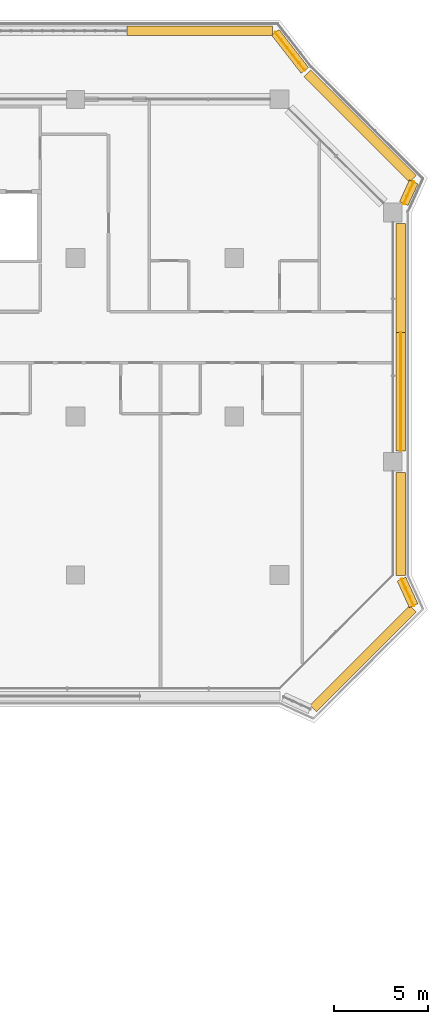
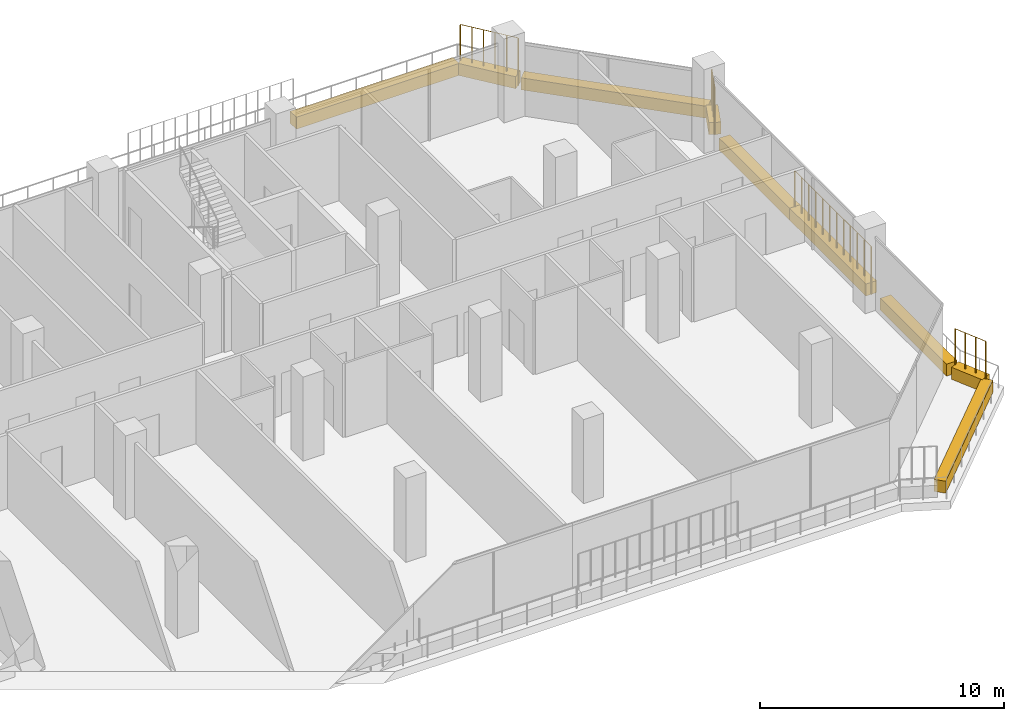
# One storey, part 22 of 22: 9 coverings, 4 railings.
"""IFC4 building model written with IfcOpenShell, lengths in metres."""

from ifc_helpers import new_model, si_unit, direction, frame, origin, origin_2d, place, context, subcontext, project, spatial, rectangle, circle, extrude, material, material_profile, profile_set, type_object, element, save


model = new_model("IFC4")

# Units and contexts
model_context = context("Model", 3, precision=1e-05, world=origin(), true_north=direction((0.0, 1.0)))
body_context = subcontext(model_context, "Body", "Model", "MODEL_VIEW")
ifc_project = project(units=[si_unit("LENGTHUNIT", "METRE"), si_unit("AREAUNIT", "SQUARE_METRE"), si_unit("VOLUMEUNIT", "CUBIC_METRE"), si_unit("PLANEANGLEUNIT", "RADIAN"), si_unit("MASSUNIT", "GRAM", prefix="KILO")], contexts=[model_context])

# Site, building, storey
site_placement = place(None, origin())
site = spatial("IfcSite", under=ifc_project, at=site_placement, CompositionType="ELEMENT")
building_placement = place(site_placement, origin())
building = spatial("IfcBuilding", under=site, at=building_placement, Name="Kawkab Arch Medical Tower", CompositionType="ELEMENT")
storey_placement = place(building_placement, frame((0.0, 0.0, 208.800048828125)))
storey = spatial("IfcBuildingStorey", under=building, at=storey_placement, Name="L48", CompositionType="ELEMENT", Elevation=208.800048828125)

# Coverings
ifc_material_1 = material(Name="Planting soil in a precast trough", Category="concrete")
ifc_material_profile = material_profile(ifc_material_1, rectangle(XDim=0.5, YDim=0.60009765625, at=origin_2d()), Name="Trough 500x600")
ifc_profile_set = profile_set([ifc_material_profile], Name="Planting soil in a precast trough")
covering_type = type_object("IfcCoveringType", Name="Planter trough 500 x 600", PredefinedType="USERDEFINED", material=ifc_profile_set)
covering_1_placement = place(storey_placement, frame((53.112060546875, 3.6201171875, 0.300048828125), z_axis=(1.0, 0.0, 0.0), x_axis=(0.0, 1.0, 0.0)))
element("IfcCovering", 1, at=covering_1_placement, inside=storey, type_object=covering_type, Name="Planter L48.LOG-01-01.24", ObjectType="PLANTER", PredefinedType="USERDEFINED", context=body_context, shape_type="SweptSolid", body=[
    extrude(rectangle(XDim=0.5, YDim=0.60009765625, at=origin_2d()), origin(), (0.0, 0.0, 1.0), 7.703857421875),
])
covering_2_placement = place(storey_placement, frame((60.97802734375, 3.541015625, 0.300048828125), z_axis=(0.61404021143, -0.789274742246, 0.0), x_axis=(0.789274742246, 0.61404021143, 0.0)))
element("IfcCovering", 2, at=covering_2_placement, inside=storey, type_object=covering_type, Name="Planter L48.LOG-01-01.25", ObjectType="PLANTER", PredefinedType="USERDEFINED", context=body_context, shape_type="SweptSolid", body=[
    extrude(rectangle(XDim=0.5, YDim=0.60009765625, at=origin_2d()), origin(), (0.0, 0.0, 1.0), 2.54541015625),
])
covering_3_placement = place(storey_placement, frame((62.673095703125, 1.383056640625, 0.300048828125), z_axis=(0.707091367247, -0.70712219479, 0.0), x_axis=(0.70712219479, 0.707091367247, 0.0)))
element("IfcCovering", 3, at=covering_3_placement, inside=storey, type_object=covering_type, Name="Planter L48.LOG-01-01.26", ObjectType="PLANTER", PredefinedType="USERDEFINED", context=body_context, shape_type="SweptSolid", body=[
    extrude(rectangle(XDim=0.5, YDim=0.60009765625, at=origin_2d()), origin(), (0.0, 0.0, 1.0), 7.919677734375),
])
covering_4_placement = place(storey_placement, frame((68.302001953125, -4.37890625, 0.300048828125), z_axis=(-0.415089762627, -0.909780461959, 0.0), x_axis=(0.909780461959, -0.415089762627, 0.0)))
element("IfcCovering", 4, at=covering_4_placement, inside=storey, type_object=covering_type, Name="Planter L48.LOG-01-01.27", ObjectType="PLANTER", PredefinedType="USERDEFINED", context=body_context, shape_type="SweptSolid", body=[
    extrude(rectangle(XDim=0.5, YDim=0.60009765625, at=origin_2d()), origin(), (0.0, 0.0, 1.0), 1.257568359375),
])
covering_5_placement = place(storey_placement, frame((67.6201171875, -6.580078125, 0.300048828125), z_axis=(0.0, -1.0, 0.0), x_axis=(1.0, 0.0, 0.0)))
element("IfcCovering", 5, at=covering_5_placement, inside=storey, type_object=covering_type, Name="Planter L48.LOG-01-01.28", ObjectType="PLANTER", PredefinedType="USERDEFINED", context=body_context, shape_type="SweptSolid", body=[
    extrude(rectangle(XDim=0.5, YDim=0.60009765625, at=origin_2d()), origin(), (0.0, 0.0, 1.0), 5.77783203125),
])
covering_6_placement = place(storey_placement, frame((67.6201171875, -12.35791015625, 0.300048828125), z_axis=(0.0, -1.0, 0.0), x_axis=(1.0, 0.0, 0.0)))
element("IfcCovering", 6, at=covering_6_placement, inside=storey, type_object=covering_type, Name="Planter L48.LOG-01-01.29", ObjectType="PLANTER", PredefinedType="USERDEFINED", context=body_context, shape_type="SweptSolid", body=[
    extrude(rectangle(XDim=0.5, YDim=0.60009765625, at=origin_2d()), origin(), (0.0, 0.0, 1.0), 6.26220703125),
])
covering_7_placement = place(storey_placement, frame((67.6201171875, -19.780029296875, 0.300048828125), z_axis=(0.0, -1.0, 0.0), x_axis=(1.0, 0.0, 0.0)))
element("IfcCovering", 7, at=covering_7_placement, inside=storey, type_object=covering_type, Name="Planter L48.LOG-01-01.30", ObjectType="PLANTER", PredefinedType="USERDEFINED", context=body_context, shape_type="SweptSolid", body=[
    extrude(rectangle(XDim=0.5, YDim=0.60009765625, at=origin_2d()), origin(), (0.0, 0.0, 1.0), 5.446044921875),
])
covering_8_placement = place(storey_placement, frame((67.660888671875, -25.4169921875, 0.300048828125), z_axis=(0.415363486165, -0.909655525109, 0.0), x_axis=(0.909655525109, 0.415363486165, 0.0)))
element("IfcCovering", 8, at=covering_8_placement, inside=storey, type_object=covering_type, Name="Planter L48.LOG-01-01.31", ObjectType="PLANTER", PredefinedType="USERDEFINED", context=body_context, shape_type="SweptSolid", body=[
    extrude(rectangle(XDim=0.5, YDim=0.60009765625, at=origin_2d()), origin(), (0.0, 0.0, 1.0), 1.54345703125),
])
covering_9_placement = place(storey_placement, frame((68.27294921875, -26.98291015625, 0.300048828125), z_axis=(-0.707106781187, -0.707106781187, 0.0), x_axis=(0.707106781187, -0.707106781187, 0.0)))
element("IfcCovering", 9, at=covering_9_placement, inside=storey, type_object=covering_type, Name="Planter L48.LOG-01-01.32", ObjectType="PLANTER", PredefinedType="USERDEFINED", context=body_context, shape_type="SweptSolid", body=[
    extrude(rectangle(XDim=0.5, YDim=0.60009765625, at=origin_2d()), origin(), (0.0, 0.0, 1.0), 7.481201171875),
])

# Railings
ifc_material_2 = material(Name="Bronze anodised aluminium trellis for climbing plants", Category="aluminium")
railing_type = type_object("IfcRailingType", Name="Planting trellis 2400", PredefinedType="USERDEFINED", material=ifc_material_2)
railing_1_placement = place(storey_placement, frame((60.97802734375, 3.541015625, 0.0)))
element("IfcRailing", 10, at=railing_1_placement, inside=storey, type_object=railing_type, Name="Planting trellis L48.LOG-01-01.25", ObjectType="TRELLIS", PredefinedType="USERDEFINED", context=body_context, shape_type="SweptSolid", body=[
    extrude(circle(Radius=0.01513671875, at=origin_2d()), frame((0.0, 0.0, 2.384765625), z_axis=(0.61404021143, -0.789274742246, 0.0), x_axis=(0.789274742246, 0.61404021143, 0.0)), (0.0, 0.0, 1.0), 2.54541015625),
    extrude(circle(Radius=0.030029296875, at=origin_2d()), origin(), (0.0, 0.0, 1.0), 2.369873046875),
    extrude(circle(Radius=0.030029296875, at=origin_2d()), frame((0.3125, -0.40185546875, 0.0)), (0.0, 0.0, 1.0), 2.369873046875),
    extrude(circle(Radius=0.030029296875, at=origin_2d()), frame((0.625244140625, -0.8037109375, 0.0)), (0.0, 0.0, 1.0), 2.369873046875),
    extrude(circle(Radius=0.030029296875, at=origin_2d()), frame((0.937744140625, -1.205322265625, 0.0)), (0.0, 0.0, 1.0), 2.369873046875),
    extrude(circle(Radius=0.030029296875, at=origin_2d()), frame((1.25048828125, -1.607177734375, 0.0)), (0.0, 0.0, 1.0), 2.369873046875),
    extrude(circle(Radius=0.030029296875, at=origin_2d()), frame((1.56298828125, -2.009033203125, 0.0)), (0.0, 0.0, 1.0), 2.369873046875),
])
railing_2_placement = place(storey_placement, frame((68.302001953125, -4.37890625, 0.0)))
element("IfcRailing", 11, at=railing_2_placement, inside=storey, type_object=railing_type, Name="Planting trellis L48.LOG-01-01.27", ObjectType="TRELLIS", PredefinedType="USERDEFINED", context=body_context, shape_type="SweptSolid", body=[
    extrude(circle(Radius=0.01513671875, at=origin_2d()), frame((0.0, 0.0, 2.384765625), z_axis=(-0.415089762627, -0.909780461959, 0.0), x_axis=(0.909780461959, -0.415089762627, 0.0)), (0.0, 0.0, 1.0), 1.257568359375),
    extrude(circle(Radius=0.030029296875, at=origin_2d()), origin(), (0.0, 0.0, 1.0), 2.369873046875),
    extrude(circle(Radius=0.030029296875, at=origin_2d()), frame((-0.174072265625, -0.38134765625, 0.0)), (0.0, 0.0, 1.0), 2.369873046875),
    extrude(circle(Radius=0.030029296875, at=origin_2d()), frame((-0.347900390625, -0.7626953125, 0.0)), (0.0, 0.0, 1.0), 2.369873046875),
    extrude(circle(Radius=0.030029296875, at=origin_2d()), frame((-0.52197265625, -1.14404296875, 0.0)), (0.0, 0.0, 1.0), 2.369873046875),
])
railing_3_placement = place(storey_placement, frame((67.6201171875, -12.35791015625, 0.0)))
element("IfcRailing", 12, at=railing_3_placement, inside=storey, type_object=railing_type, Name="Planting trellis L48.LOG-01-01.29", ObjectType="TRELLIS", PredefinedType="USERDEFINED", context=body_context, shape_type="SweptSolid", body=[
    extrude(circle(Radius=0.01513671875, at=origin_2d()), frame((0.0, 0.0, 2.384765625), z_axis=(0.0, -1.0, 0.0), x_axis=(1.0, 0.0, 0.0)), (0.0, 0.0, 1.0), 6.26220703125),
    extrude(circle(Radius=0.030029296875, at=origin_2d()), origin(), (0.0, 0.0, 1.0), 2.369873046875),
    extrude(circle(Radius=0.030029296875, at=origin_2d()), frame((0.0, -0.5693359375, 0.0)), (0.0, 0.0, 1.0), 2.369873046875),
    extrude(circle(Radius=0.030029296875, at=origin_2d()), frame((0.0, -1.138671875, 0.0)), (0.0, 0.0, 1.0), 2.369873046875),
    extrude(circle(Radius=0.030029296875, at=origin_2d()), frame((0.0, -1.707763671875, 0.0)), (0.0, 0.0, 1.0), 2.369873046875),
    extrude(circle(Radius=0.030029296875, at=origin_2d()), frame((0.0, -2.277099609375, 0.0)), (0.0, 0.0, 1.0), 2.369873046875),
    extrude(circle(Radius=0.030029296875, at=origin_2d()), frame((0.0, -2.846435546875, 0.0)), (0.0, 0.0, 1.0), 2.369873046875),
    extrude(circle(Radius=0.030029296875, at=origin_2d()), frame((0.0, -3.415771484375, 0.0)), (0.0, 0.0, 1.0), 2.369873046875),
    extrude(circle(Radius=0.030029296875, at=origin_2d()), frame((0.0, -3.985107421875, 0.0)), (0.0, 0.0, 1.0), 2.369873046875),
    extrude(circle(Radius=0.030029296875, at=origin_2d()), frame((0.0, -4.554443359375, 0.0)), (0.0, 0.0, 1.0), 2.369873046875),
    extrude(circle(Radius=0.030029296875, at=origin_2d()), frame((0.0, -5.12353515625, 0.0)), (0.0, 0.0, 1.0), 2.369873046875),
    extrude(circle(Radius=0.030029296875, at=origin_2d()), frame((0.0, -5.69287109375, 0.0)), (0.0, 0.0, 1.0), 2.369873046875),
    extrude(circle(Radius=0.030029296875, at=origin_2d()), frame((0.0, -6.26220703125, 0.0)), (0.0, 0.0, 1.0), 2.369873046875),
])
railing_4_placement = place(storey_placement, frame((67.660888671875, -25.4169921875, 0.0)))
element("IfcRailing", 13, at=railing_4_placement, inside=storey, type_object=railing_type, Name="Planting trellis L48.LOG-01-01.31", ObjectType="TRELLIS", PredefinedType="USERDEFINED", context=body_context, shape_type="SweptSolid", body=[
    extrude(circle(Radius=0.01513671875, at=origin_2d()), frame((0.0, 0.0, 2.384765625), z_axis=(0.415363486165, -0.909655525109, 0.0), x_axis=(0.909655525109, 0.415363486165, 0.0)), (0.0, 0.0, 1.0), 1.54345703125),
    extrude(circle(Radius=0.030029296875, at=origin_2d()), origin(), (0.0, 0.0, 1.0), 2.369873046875),
    extrude(circle(Radius=0.030029296875, at=origin_2d()), frame((0.213623046875, -0.468017578125, 0.0)), (0.0, 0.0, 1.0), 2.369873046875),
    extrude(circle(Radius=0.030029296875, at=origin_2d()), frame((0.427490234375, -0.93603515625, 0.0)), (0.0, 0.0, 1.0), 2.369873046875),
    extrude(circle(Radius=0.030029296875, at=origin_2d()), frame((0.64111328125, -1.404052734375, 0.0)), (0.0, 0.0, 1.0), 2.369873046875),
])

save(model, "model.ifc")
